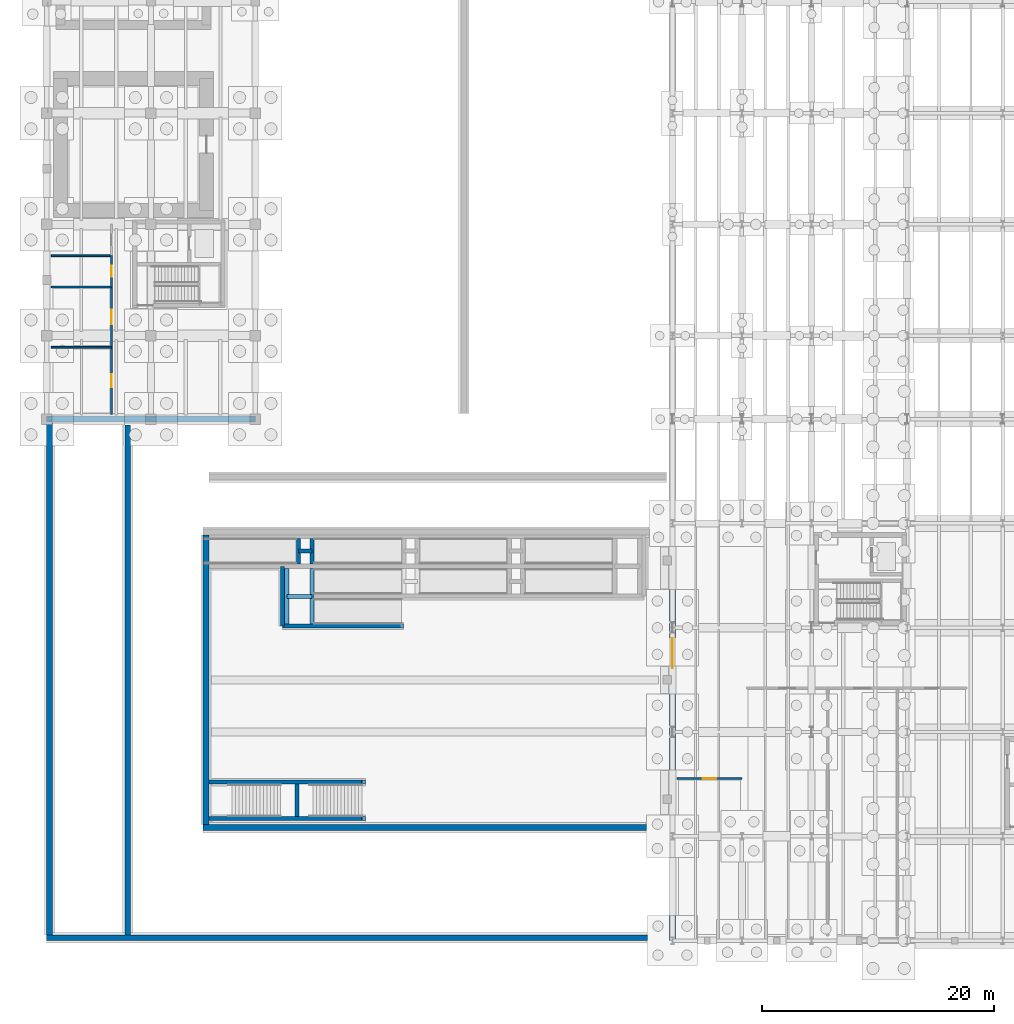
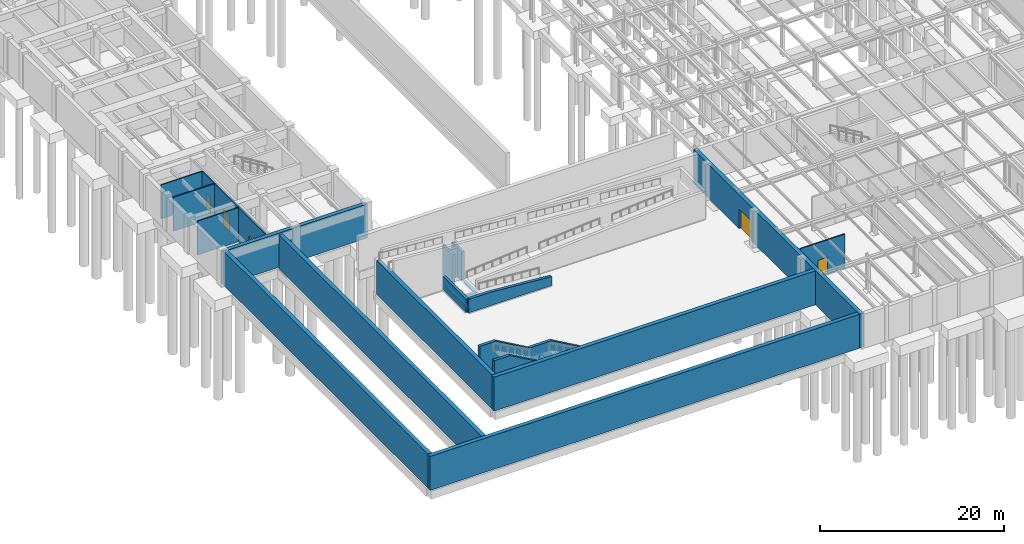
# One storey, part 41 of 59: 25 walls, 5 doors, 5 openings.
"""IFC4 building model written with IfcOpenShell, lengths in metres."""

import ifcopenshell
import ifcopenshell.guid

model = None  # the IFC model being written
_history = None  # IfcOwnerHistory: only IFC2X3 demands one
_inside = {}  # id of a spatial element -> (the spatial element, [elements in it])
_under = {}  # id of a project, library or spatial element -> (it, [spatial elements below it])
_declared = {}  # id of a project -> (the project, [libraries it declares])
_typed = {}  # id of a type object -> (the type object, [elements of that type])
_made_of = {}  # id of a material, layer set ... -> (it, [elements and type objects made of it])


def new_model(schema):
    """Start an empty IFC model of exactly this schema.

    Asked for "IFC4X3", IfcOpenShell would pick the latest addendum, in which some entities
    have other attributes; the version numbers below select the first issue.
    IFC2X3 requires an IfcOwnerHistory on every rooted entity: one is made here for all.
    """
    global model, _history
    if schema == "IFC4X3":
        model = ifcopenshell.file(schema_version=(4, 3, 0, 0))
    else:
        model = ifcopenshell.file(schema=schema)
    _inside.clear()
    _under.clear()
    _declared.clear()
    _typed.clear()
    _made_of.clear()
    _history = None
    if model.schema == "IFC2X3":
        org = make("IfcOrganization", Name="unknown")
        user = make(
            "IfcPersonAndOrganization",
            ThePerson=make("IfcPerson", FamilyName="unknown"),
            TheOrganization=org,
        )
        app = make(
            "IfcApplication",
            ApplicationDeveloper=org,
            Version="unknown",
            ApplicationFullName="unknown",
            ApplicationIdentifier="unknown",
        )
        _history = make(
            "IfcOwnerHistory",
            OwningUser=user,
            OwningApplication=app,
            ChangeAction="ADDED",
            CreationDate=0,
        )
    return model


def make(cls, **values):
    """One entity of the class cls with the attributes given. An attribute that is None is left unset."""
    return model.create_entity(
        cls, **{name: value for name, value in values.items() if value is not None}
    )


def rooted(cls, **values):
    """An entity with a GlobalId (a new one), such as an element, a storey or a relation."""
    return make(cls, GlobalId=ifcopenshell.guid.new(), OwnerHistory=_history, **values)


def si_unit(unit_type, name, prefix=None):
    """IfcSIUnit, for example si_unit("LENGTHUNIT", "METRE", prefix="MILLI")."""
    return make("IfcSIUnit", UnitType=unit_type, Prefix=prefix, Name=name)


def assignment(units):
    """IfcUnitAssignment: the units of a project."""
    return None if units is None else make("IfcUnitAssignment", Units=units)


def point(xyz):
    """IfcCartesianPoint."""
    return None if xyz is None else make("IfcCartesianPoint", Coordinates=xyz)


def direction(xyz):
    """IfcDirection."""
    return None if xyz is None else make("IfcDirection", DirectionRatios=xyz)


def frame(location, z_axis=None, x_axis=None):
    """IfcAxis2Placement3D, a coordinate frame: its origin and axes. An axis left out is left unset."""
    return make(
        "IfcAxis2Placement3D",
        Location=point(location),
        Axis=direction(z_axis),
        RefDirection=direction(x_axis),
    )


def frame_2d(location, x_axis=None):
    """IfcAxis2Placement2D, a coordinate frame in the plane: its origin and x axis."""
    return make(
        "IfcAxis2Placement2D", Location=point(location), RefDirection=direction(x_axis)
    )


def origin():
    """The frame at (0, 0, 0) with its axes left unset."""
    return frame((0.0, 0.0, 0.0))


def place(relative_to, where):
    """IfcLocalPlacement: puts the frame where relative to a parent placement (None: the world)."""
    return make(
        "IfcLocalPlacement", PlacementRelTo=relative_to, RelativePlacement=where
    )


def context(
    kind, dimensions, precision=None, world=None, true_north=None, identifier=None
):
    """IfcGeometricRepresentationContext, for example the 3D "Model" context."""
    return make(
        "IfcGeometricRepresentationContext",
        ContextIdentifier=identifier,
        ContextType=kind,
        CoordinateSpaceDimension=dimensions,
        Precision=precision,
        WorldCoordinateSystem=world,
        TrueNorth=true_north,
    )


def subcontext(parent, identifier, kind, view, scale=None):
    """IfcGeometricRepresentationSubContext, for example "Body" below "Model"."""
    return make(
        "IfcGeometricRepresentationSubContext",
        ContextIdentifier=identifier,
        ContextType=kind,
        ParentContext=parent,
        TargetScale=scale,
        TargetView=view,
    )


def project(units=None, contexts=None):
    """IfcProject with its units and contexts."""
    return rooted(
        "IfcProject",
        Name="project",
        RepresentationContexts=contexts,
        UnitsInContext=assignment(units),
    )


def spatial(cls, under=None, at=None, **own):
    """A site, building, storey or space (cls), placed at a placement, below another one or the project."""
    s = rooted(cls, ObjectPlacement=at, **own)
    if under is not None:
        _under.setdefault(under.id(), (under, []))[1].append(s)
    return s


def polyline(points):
    """IfcPolyline through the points."""
    return make("IfcPolyline", Points=[point(p) for p in points])


def profile(cls, at=None, kind="AREA", **sizes):
    """A parametric profile (cls). Its sizes go by their IFC names, for example OverallWidth=200.0."""
    return make(cls, ProfileType=kind, Position=at, **sizes)


def rectangle(**sizes):
    """IfcRectangleProfileDef."""
    return profile("IfcRectangleProfileDef", **sizes)


def outline(outer, holes=None, kind="AREA"):
    """IfcArbitraryClosedProfileDef: a profile drawn as a closed curve; with holes, ...WithVoids."""
    if holes is None:
        return make("IfcArbitraryClosedProfileDef", ProfileType=kind, OuterCurve=outer)
    return make(
        "IfcArbitraryProfileDefWithVoids",
        ProfileType=kind,
        OuterCurve=outer,
        InnerCurves=holes,
    )


def extrude(swept, where, along, depth):
    """IfcExtrudedAreaSolid: the profile swept, set in the frame where, extruded along a direction by depth."""
    return make(
        "IfcExtrudedAreaSolid",
        SweptArea=swept,
        Position=where,
        ExtrudedDirection=direction(along),
        Depth=depth,
    )


def shape(context_of_items, identifier, shape_type, items):
    """IfcShapeRepresentation: the items that make up one representation, for example the "Body"."""
    return make(
        "IfcShapeRepresentation",
        ContextOfItems=context_of_items,
        RepresentationIdentifier=identifier,
        RepresentationType=shape_type,
        Items=items,
    )


def material(Name=None, Category=None):
    """IfcMaterial."""
    return make("IfcMaterial", Name=Name, Category=Category)


def layer(
    of_material, thickness, ventilated=None, Name=None, Category=None, Priority=None
):
    """IfcMaterialLayer: one layer of a wall or slab, of a material (None: an air gap)."""
    return make(
        "IfcMaterialLayer",
        Material=of_material,
        LayerThickness=thickness,
        IsVentilated=ventilated,
        Name=Name,
        Category=Category,
        Priority=Priority,
    )


def layer_set(layers, Name=None):
    """IfcMaterialLayerSet."""
    return make("IfcMaterialLayerSet", MaterialLayers=layers, LayerSetName=Name)


def made_of(thing, what):
    """Note that an element or type object is made of a material, layer set ...; save() writes the relation."""
    if what is not None:
        _made_of.setdefault(what.id(), (what, []))[1].append(thing)
    return thing


def type_object(cls, material=None, **own):
    """A type object (cls), such as IfcWallType, which elements share."""
    return made_of(rooted(cls, **own), material)


def element(
    cls,
    number,
    at=None,
    inside=None,
    cuts=None,
    type_object=None,
    material=None,
    context=None,
    identifier="Body",
    shape_type=None,
    held_by="IfcProductDefinitionShape",
    body=None,
    shapes=None,
    **own,
):
    """One element of the class cls, such as IfcWall. Its Tag is "e" and its number.

    at: its placement. inside: the storey or other place that contains it. cuts: it is an
    opening in that element (IfcRelVoidsElement). A single representation is given by context,
    identifier, shape_type and body (its items); several are given by shapes. held_by: the class
    of the entity that holds the representations. save() writes the other relations.
    """
    e = rooted(cls, Tag="e%d" % number, ObjectPlacement=at, **own)
    if body is not None:
        shapes = [shape(context, identifier, shape_type, body)]
    if shapes is not None:
        e.Representation = make(held_by, Representations=shapes)
    if inside is not None:
        _inside.setdefault(inside.id(), (inside, []))[1].append(e)
    if cuts is not None:
        rooted(
            "IfcRelVoidsElement", RelatingBuildingElement=cuts, RelatedOpeningElement=e
        )
    if type_object is not None:
        _typed.setdefault(type_object.id(), (type_object, []))[1].append(e)
    return made_of(e, material)


def fill(opening, filler):
    """IfcRelFillsElement: the door or window that sits in an opening."""
    return rooted(
        "IfcRelFillsElement",
        RelatingOpeningElement=opening,
        RelatedBuildingElement=filler,
    )


def aggregate(whole, parts):
    """IfcRelAggregates: a whole, such as a stair, and the parts it consists of."""
    return rooted("IfcRelAggregates", RelatingObject=whole, RelatedObjects=parts)


def save(model, path):
    """Write the relations noted so far, then the file.

    IfcRelAggregates (storeys below a building ...), IfcRelContainedInSpatialStructure (elements
    in a storey), IfcRelDefinesByType, IfcRelAssociatesMaterial and IfcRelDeclares: one each for
    every whole, place, type object, material and project.
    """
    for whole, parts in _under.values():
        aggregate(whole, parts)
    for where, things in _inside.values():
        rooted(
            "IfcRelContainedInSpatialStructure",
            RelatedElements=things,
            RelatingStructure=where,
        )
    for kind, things in _typed.values():
        rooted("IfcRelDefinesByType", RelatedObjects=things, RelatingType=kind)
    for what, things in _made_of.values():
        rooted("IfcRelAssociatesMaterial", RelatedObjects=things, RelatingMaterial=what)
    for by, libraries in _declared.values():
        rooted("IfcRelDeclares", RelatingContext=by, RelatedDefinitions=libraries)
    model.write(path)


model = new_model("IFC4")

# Units and contexts
model_context = context("Model", 3, precision=1e-05, world=origin(), true_north=direction((0.0, 1.0)))
body_context = subcontext(model_context, "Body", "Model", "MODEL_VIEW")
ifc_project = project(units=[si_unit("LENGTHUNIT", "METRE"), si_unit("AREAUNIT", "SQUARE_METRE"), si_unit("VOLUMEUNIT", "CUBIC_METRE"), si_unit("PLANEANGLEUNIT", "RADIAN"), si_unit("MASSUNIT", "GRAM", prefix="KILO")], contexts=[model_context])

# Site, building, storey
site_placement = place(None, origin())
site = spatial("IfcSite", under=ifc_project, at=site_placement, CompositionType="ELEMENT")
building_placement = place(site_placement, origin())
building = spatial("IfcBuilding", under=site, at=building_placement, Name="Montealbar Specialist Clinic", CompositionType="ELEMENT")
storey_placement = place(building_placement, frame((0.0, 0.0, -4.800048828125)))
storey = spatial("IfcBuildingStorey", under=building, at=storey_placement, Name="B01", CompositionType="ELEMENT", Elevation=-4.800048828125)

# Walls
ifc_material_1 = material(Name="Guadarrama granite ashlar", Category="masonry")
ifc_layer_1 = layer(ifc_material_1, 0.35009765625, Name="Guadarrama granite ashlar", Category="masonry")
ifc_layer_set_1 = layer_set([ifc_layer_1], Name="Guadarrama granite ashlar")
wall_type_1 = type_object("IfcWallType", Name="WL-CHEEK-350", PredefinedType="SOLIDWALL", material=ifc_layer_set_1)
for number, where, z_axis, x_axis, name in (
    (1, (14.0, 10.52490234375, 0.0), (0.0, 0.0, 1.0), (1.0, 0.0, 0.0), "Grand Stair Granite Balustrade Cheek Wall S"),
    (2, (14.0, 13.675048828125, 0.0), (0.0, 0.0, 1.0), (1.0, 0.0, 0.0), "Grand Stair Granite Balustrade Cheek Wall N"),
):
    element("IfcWall", number, at=place(storey_placement, frame(where, z_axis=z_axis, x_axis=x_axis)), inside=storey, type_object=wall_type_1, Name=name, PredefinedType="SOLIDWALL", context=body_context, shape_type="SweptSolid", body=[
        extrude(outline(polyline([(0.0, 0.0), (13.5, 0.0), (13.5, 1.179931640625), (13.199951171875, 1.179931640625), (9.0, 3.580078125), (6.199951171875, 3.580078125), (2.0, 5.97998046875), (0.0, 5.97998046875), (0.0, 0.0)])), frame((0.0, 0.175048828125, 0.0), z_axis=(0.0, -1.0, 0.0), x_axis=(1.0, 0.0, 0.0)), (0.0, 0.0, 1.0), 0.35009765625),
    ])
wall_1_placement = place(storey_placement, frame((21.60009765625, 10.699951171875, 0.0), z_axis=(0.0, 0.0, 1.0), x_axis=(0.0, 1.0, 0.0)))
element("IfcWall", 3, at=wall_1_placement, inside=storey, type_object=wall_type_1, Name="Grand Stair Mid-Landing Pier Wall", PredefinedType="SOLIDWALL", context=body_context, shape_type="SweptSolid", body=[
    extrude(rectangle(XDim=2.800048828125, YDim=0.35009765625, at=frame_2d((1.39990234375, 0.0))), origin(), (0.0, 0.0, 1.0), 2.16015625),
])
for number, where, z_axis, x_axis, name in (
    (4, (21.719970703125, 32.5, 0.0), (0.0, 0.0, 1.0), (0.0, 1.0, 0.0), "Terrace Ramp Pier Wall PR-01 W"),
    (5, (22.8798828125, 32.5, 0.0), (0.0, 0.0, 1.0), (0.0, 1.0, 0.0), "Terrace Ramp Pier Wall PR-01 E"),
):
    element("IfcWall", number, at=place(storey_placement, frame(where, z_axis=z_axis, x_axis=x_axis)), inside=storey, type_object=wall_type_1, Name=name, PredefinedType="SOLIDWALL", context=body_context, shape_type="SweptSolid", body=[
        extrude(rectangle(XDim=2.199951171875, YDim=0.35009765625, at=frame_2d((1.10009765625, 0.0))), origin(), (0.0, 0.0, 1.0), 3.900146484375),
    ])
wall_2_placement = place(storey_placement, frame((21.719970703125, 33.60009765625, 0.0), z_axis=(0.0, 0.0, 1.0), x_axis=(1.0, 0.0, 0.0)))
element("IfcWall", 6, at=wall_2_placement, inside=storey, type_object=wall_type_1, Name="Terrace Ramp Pier Wall PR-01 M", PredefinedType="SOLIDWALL", context=body_context, shape_type="SweptSolid", body=[
    extrude(rectangle(XDim=1.159912109375, YDim=0.35009765625, at=frame_2d((0.580078125, 0.0))), origin(), (0.0, 0.0, 1.0), 3.900146484375),
])
for number, where, z_axis, x_axis, name in (
    (7, (20.719970703125, 27.300048828125, 0.0), (0.0, 0.0, 1.0), (0.0, 1.0, 0.0), "Terrace Ramp Pier Wall PR-07 W"),
    (8, (22.8798828125, 27.300048828125, 0.0), (0.0, 0.0, 1.0), (0.0, 1.0, 0.0), "Terrace Ramp Pier Wall PR-07 E"),
):
    element("IfcWall", number, at=place(storey_placement, frame(where, z_axis=z_axis, x_axis=x_axis)), inside=storey, type_object=wall_type_1, Name=name, PredefinedType="SOLIDWALL", context=body_context, shape_type="SweptSolid", body=[
        extrude(rectangle(XDim=4.800048828125, YDim=0.35009765625, at=frame_2d((2.39990234375, 0.0))), origin(), (0.0, 0.0, 1.0), 0.300048828125),
    ])
wall_3_placement = place(storey_placement, frame((20.719970703125, 29.699951171875, 0.0), z_axis=(0.0, 0.0, 1.0), x_axis=(1.0, 0.0, 0.0)))
element("IfcWall", 9, at=wall_3_placement, inside=storey, type_object=wall_type_1, Name="Terrace Ramp Pier Wall PR-07 M", PredefinedType="SOLIDWALL", context=body_context, shape_type="SweptSolid", body=[
    extrude(rectangle(XDim=2.159912109375, YDim=0.35009765625, at=frame_2d((1.080078125, 0.0))), origin(), (0.0, 0.0, 1.0), 0.300048828125),
])
wall_4_placement = place(storey_placement, frame((20.35009765625, 27.14990234375, 0.0), z_axis=(0.0, 0.0, 1.0), x_axis=(0.0, 1.0, 0.0)))
element("IfcWall", 10, at=wall_4_placement, inside=storey, type_object=wall_type_1, Name="Forecourt Ramp Granite Balustrade Wall RAMP-W-TURN", PredefinedType="SOLIDWALL", context=body_context, shape_type="SweptSolid", body=[
    extrude(outline(polyline([(0.0, 0.0), (5.150146484375, 0.0), (5.14990234375, 1.780029296875), (0.0, 1.780029296875), (0.0, 0.0)])), frame((0.0, 0.175048828125, 0.0), z_axis=(0.0, -1.0, 0.0), x_axis=(1.0, 0.0, 0.0)), (0.0, 0.0, 1.0), 0.35009765625),
])
wall_5_placement = place(storey_placement, frame((20.35009765625, 27.14990234375, 0.0), z_axis=(0.0, 0.0, 1.0), x_axis=(1.0, 0.0, 0.0)))
element("IfcWall", 11, at=wall_5_placement, inside=storey, type_object=wall_type_1, Name="Forecourt Ramp Granite Balustrade Wall RAMP-S-OUTER", PredefinedType="SOLIDWALL", context=body_context, shape_type="SweptSolid", body=[
    extrude(outline(polyline([(0.0, 0.0), (10.449951171875, 0.0), (10.449951171875, 1.179931640625), (2.75, 1.780029296875), (0.0, 1.780029296875), (0.0, 0.0)])), frame((0.0, 0.175048828125, 0.0), z_axis=(0.0, -1.0, 0.0), x_axis=(1.0, 0.0, 0.0)), (0.0, 0.0, 1.0), 0.35009765625),
])
ifc_material_2 = material(Name="Gypsum acoustic partition", Category="gypsum")
ifc_layer_2 = layer(ifc_material_2, 0.139892578125, Name="Gypsum acoustic partition", Category="gypsum")
ifc_layer_set_2 = layer_set([ifc_layer_2], Name="Gypsum acoustic partition")
wall_type_2 = type_object("IfcWallType", Name="WL-PART-ACOUSTIC-140", PredefinedType="PARTITIONING", material=ifc_layer_set_2)
for number, where, z_axis, x_axis, name in (
    (12, (0.39990234375, 51.199951171875, 0.0), (0.0, 0.0, 1.0), (1.0, 0.0, 0.0), "Clinical Partition PART-B01-0002"),
    (13, (0.39990234375, 56.39990234375, 0.0), (0.0, 0.0, 1.0), (1.0, 0.0, 0.0), "Clinical Partition PART-B01-0004"),
    (14, (0.39990234375, 59.10009765625, 0.0), (0.0, 0.0, 1.0), (1.0, 0.0, 0.0), "Clinical Partition PART-B01-0006"),
):
    element("IfcWall", number, at=place(storey_placement, frame(where, z_axis=z_axis, x_axis=x_axis)), inside=storey, type_object=wall_type_2, Name=name, PredefinedType="PARTITIONING", context=body_context, shape_type="SweptSolid", body=[
        extrude(rectangle(XDim=5.2001953125, YDim=0.139892578125, at=frame_2d((2.60009765625, 0.0))), origin(), (0.0, 0.0, 1.0), 4.5),
    ])

# Wall, opening, door
ifc_layer_3 = layer(ifc_material_2, 0.159912109375, Name="Gypsum acoustic partition", Category="gypsum")
ifc_layer_set_3 = layer_set([ifc_layer_3], Name="Gypsum acoustic partition")
wall_type_3 = type_object("IfcWallType", Name="WL-PART-CLINIC-160", PredefinedType="PARTITIONING", material=ifc_layer_set_3)
wall_6_placement = place(storey_placement, frame((5.60009765625, 45.39990234375, 0.0), z_axis=(0.0, 0.0, 1.0), x_axis=(0.0, 1.0, 0.0)))
wall_6 = element("IfcWall", 15, at=wall_6_placement, inside=storey, type_object=wall_type_3, Name="Clinical Partition PART-B01-0001", PredefinedType="PARTITIONING", context=body_context, shape_type="SweptSolid", body=[
    extrude(rectangle(XDim=5.800048828125, YDim=0.159912109375, at=frame_2d((2.89990234375, 0.0))), origin(), (0.0, 0.0, 1.0), 4.5),
])
opening_1_placement = place(wall_6_placement, frame((2.35009765625, 0.0, 0.0)))
opening_1 = element("IfcOpeningElement", 16, at=opening_1_placement, cuts=wall_6, Name="Opening ID-110", PredefinedType="OPENING", context=body_context, shape_type="SweptSolid", body=[
    extrude(rectangle(XDim=1.10009765625, YDim=2.14990234375, at=frame_2d((0.550048828125, 1.074951171875))), frame((0.0, 0.08984375, 0.0), z_axis=(0.0, -1.0, 0.0), x_axis=(1.0, 0.0, 0.0)), (0.0, 0.0, 1.0), 0.179931640625),
])
ifc_material_3 = material(Name="Acoustic timber leaf", Category="wood")
door_type_1 = type_object("IfcDoorType", Name="DR-CLIN-W1100", OperationType="NOTDEFINED", PredefinedType="DOOR", material=ifc_material_3)
door_1_placement = place(opening_1_placement, frame((1.10009765625, 0.0, 0.0), z_axis=(0.0, 0.0, 1.0), x_axis=(-1.0, 0.0, 0.0)))
door_1 = element("IfcDoor", 17, at=door_1_placement, inside=storey, type_object=door_type_1, Name="Clinical Room Door IDR-B01-0001", OperationType="SINGLE_SWING_LEFT", OverallHeight=2.14990234375, OverallWidth=1.10009765625, PredefinedType="DOOR", context=body_context, shape_type="SweptSolid", body=[
    extrude(rectangle(XDim=1.10009765625, YDim=2.14990234375, at=frame_2d((0.550048828125, 1.074951171875))), frame((0.0, 0.02490234375, 0.0), z_axis=(0.0, -1.0, 0.0), x_axis=(1.0, 0.0, 0.0)), (0.0, 0.0, 1.0), 0.050048828125),
])
fill(opening_1, door_1)

wall_7_placement = place(storey_placement, frame((5.60009765625, 51.199951171875, 0.0), z_axis=(0.0, 0.0, 1.0), x_axis=(0.0, 1.0, 0.0)))
wall_7 = element("IfcWall", 18, at=wall_7_placement, inside=storey, type_object=wall_type_3, Name="Clinical Partition PART-B01-0003", PredefinedType="PARTITIONING", context=body_context, shape_type="SweptSolid", body=[
    extrude(rectangle(XDim=5.199951171875, YDim=0.159912109375, at=frame_2d((2.60009765625, 0.0))), origin(), (0.0, 0.0, 1.0), 4.5),
])
opening_2_placement = place(wall_7_placement, frame((2.0, 0.0, 0.0)))
opening_2 = element("IfcOpeningElement", 19, at=opening_2_placement, cuts=wall_7, Name="Opening ID-12L", PredefinedType="OPENING", context=body_context, shape_type="SweptSolid", body=[
    extrude(rectangle(XDim=1.25, YDim=2.199951171875, at=frame_2d((0.625, 1.10009765625))), frame((0.0, 0.08984375, 0.0), z_axis=(0.0, -1.0, 0.0), x_axis=(1.0, 0.0, 0.0)), (0.0, 0.0, 1.0), 0.179931640625),
])
door_type_2 = type_object("IfcDoorType", Name="DR-LEAD-W1200", OperationType="NOTDEFINED", PredefinedType="DOOR", material=ifc_material_3)
door_2_placement = place(opening_2_placement, frame((1.25, 0.0, 0.0), z_axis=(0.0, 0.0, 1.0), x_axis=(-1.0, 0.0, 0.0)))
door_2 = element("IfcDoor", 20, at=door_2_placement, inside=storey, type_object=door_type_2, Name="Clinical Room Door IDR-B01-0002", OperationType="SINGLE_SWING_RIGHT", OverallHeight=2.199951171875, OverallWidth=1.25, PredefinedType="DOOR", context=body_context, shape_type="SweptSolid", body=[
    extrude(rectangle(XDim=1.25, YDim=2.199951171875, at=frame_2d((0.625, 1.10009765625))), frame((0.0, 0.02490234375, 0.0), z_axis=(0.0, -1.0, 0.0), x_axis=(1.0, 0.0, 0.0)), (0.0, 0.0, 1.0), 0.050048828125),
])
fill(opening_2, door_2)

wall_8_placement = place(storey_placement, frame((5.60009765625, 56.39990234375, 0.0), z_axis=(0.0, 0.0, 1.0), x_axis=(0.0, 1.0, 0.0)))
wall_8 = element("IfcWall", 21, at=wall_8_placement, inside=storey, type_object=wall_type_3, Name="Clinical Partition PART-B01-0005", PredefinedType="PARTITIONING", context=body_context, shape_type="SweptSolid", body=[
    extrude(rectangle(XDim=2.7001953125, YDim=0.159912109375, at=frame_2d((1.35009765625, 0.0))), origin(), (0.0, 0.0, 1.0), 4.5),
])
opening_3_placement = place(wall_8_placement, frame((0.875, 0.0, 0.0)))
opening_3 = element("IfcOpeningElement", 22, at=opening_3_placement, cuts=wall_8, Name="Opening ID-095", PredefinedType="OPENING", context=body_context, shape_type="SweptSolid", body=[
    extrude(rectangle(XDim=0.949951171875, YDim=2.10009765625, at=frame_2d((0.47509765625, 1.050048828125))), frame((0.0, 0.08984375, 0.0), z_axis=(0.0, -1.0, 0.0), x_axis=(1.0, 0.0, 0.0)), (0.0, 0.0, 1.0), 0.179931640625),
])
door_type_3 = type_object("IfcDoorType", Name="DR-WC-W0950", OperationType="NOTDEFINED", PredefinedType="DOOR", material=ifc_material_3)
door_3_placement = place(opening_3_placement, frame((0.949951171875, 0.0, 0.0), z_axis=(0.0, 0.0, 1.0), x_axis=(-1.0, 0.0, 0.0)))
door_3 = element("IfcDoor", 23, at=door_3_placement, inside=storey, type_object=door_type_3, Name="Clinical Room Door IDR-B01-0003", OperationType="SINGLE_SWING_LEFT", OverallHeight=2.10009765625, OverallWidth=0.949951171875, PredefinedType="DOOR", context=body_context, shape_type="SweptSolid", body=[
    extrude(rectangle(XDim=0.949951171875, YDim=2.10009765625, at=frame_2d((0.47509765625, 1.050048828125))), frame((0.0, 0.02490234375, 0.0), z_axis=(0.0, -1.0, 0.0), x_axis=(1.0, 0.0, 0.0)), (0.0, 0.0, 1.0), 0.050048828125),
])
fill(opening_3, door_3)

wall_9_placement = place(storey_placement, frame((54.39990234375, 14.0, 0.0), z_axis=(0.0, 0.0, 1.0), x_axis=(1.0, 0.0, 0.0)))
wall_9 = element("IfcWall", 24, at=wall_9_placement, inside=storey, type_object=wall_type_3, Name="Clinical Partition PART-B01-0008", PredefinedType="PARTITIONING", context=body_context, shape_type="SweptSolid", body=[
    extrude(rectangle(XDim=5.60009765625, YDim=0.159912109375, at=frame_2d((2.800048828125, 0.0))), origin(), (0.0, 0.0, 1.0), 4.5),
])
opening_4_placement = place(wall_9_placement, frame((2.199951171875, 0.0, 0.0)))
opening_4 = element("IfcOpeningElement", 25, at=opening_4_placement, cuts=wall_9, Name="Opening ID-120", PredefinedType="OPENING", context=body_context, shape_type="SweptSolid", body=[
    extrude(rectangle(XDim=1.199951171875, YDim=2.199951171875, at=frame_2d((0.60009765625, 1.10009765625))), frame((0.0, 0.08984375, 0.0), z_axis=(0.0, -1.0, 0.0), x_axis=(1.0, 0.0, 0.0)), (0.0, 0.0, 1.0), 0.179931640625),
])
door_type_4 = type_object("IfcDoorType", Name="DR-CLIN-W1200", OperationType="NOTDEFINED", PredefinedType="DOOR", material=ifc_material_3)
door_4_placement = place(opening_4_placement, origin())
door_4 = element("IfcDoor", 26, at=door_4_placement, inside=storey, type_object=door_type_4, Name="Clinical Room Door IDR-B01-0005", OperationType="SINGLE_SWING_LEFT", OverallHeight=2.199951171875, OverallWidth=1.199951171875, PredefinedType="DOOR", context=body_context, shape_type="SweptSolid", body=[
    extrude(rectangle(XDim=1.199951171875, YDim=2.199951171875, at=frame_2d((0.60009765625, 1.10009765625))), frame((0.0, 0.02490234375, 0.0), z_axis=(0.0, -1.0, 0.0), x_axis=(1.0, 0.0, 0.0)), (0.0, 0.0, 1.0), 0.050048828125),
])
fill(opening_4, door_4)

ifc_material_4 = material(Name="Concrete C35/45", Category="concrete")
ifc_layer_4 = layer(ifc_material_4, 0.5, Name="Concrete C35/45", Category="concrete")
ifc_layer_set_4 = layer_set([ifc_layer_4], Name="Concrete C35/45")
wall_type_4 = type_object("IfcWallType", Name="WL-RET-500", PredefinedType="SOLIDWALL", material=ifc_layer_set_4)
wall_10_placement = place(storey_placement, frame((54.0, 0.0, 0.0), z_axis=(0.0, 0.0, 1.0), x_axis=(0.0, 1.0, 0.0)))
wall_10 = element("IfcWall", 27, at=wall_10_placement, inside=storey, type_object=wall_type_4, Name="Basement Retaining Wall B01-01", PredefinedType="SOLIDWALL", context=body_context, shape_type="SweptSolid", body=[
    extrude(rectangle(XDim=36.0, YDim=0.5, at=frame_2d((18.0, 0.0))), origin(), (0.0, 0.0, 1.0), 4.5),
])
opening_5_placement = place(wall_10_placement, frame((23.5, 0.0, 0.0)))
opening_5 = element("IfcOpeningElement", 28, at=opening_5_placement, cuts=wall_10, Name="Opening ED-26", PredefinedType="OPENING", context=body_context, shape_type="SweptSolid", body=[
    extrude(rectangle(XDim=2.60009765625, YDim=2.60009765625, at=frame_2d((1.300048828125, 1.300048828125))), frame((0.0, 0.260009765625, 0.0), z_axis=(0.0, -1.0, 0.0), x_axis=(1.0, 0.0, 0.0)), (0.0, 0.0, 1.0), 0.52001953125),
])
ifc_material_5 = material(Name="Powder-coated aluminium", Category="aluminium")
door_type_5 = type_object("IfcDoorType", Name="DR-PLAZA-W2600", OperationType="DOUBLE_DOOR_SINGLE_SWING", PredefinedType="DOOR", material=ifc_material_5)
door_5_placement = place(opening_5_placement, origin())
door_5 = element("IfcDoor", 29, at=door_5_placement, inside=storey, type_object=door_type_5, Name="Sunken Metro Concourse North Entrance Portal", OperationType="DOUBLE_DOOR_SINGLE_SWING", OverallHeight=2.60009765625, OverallWidth=2.60009765625, PredefinedType="DOOR", context=body_context, shape_type="SweptSolid", body=[
    extrude(rectangle(XDim=2.60009765625, YDim=2.60009765625, at=frame_2d((1.300048828125, 1.300048828125))), frame((0.0, 0.02490234375, 0.0), z_axis=(0.0, -1.0, 0.0), x_axis=(1.0, 0.0, 0.0)), (0.0, 0.0, 1.0), 0.050048828125),
])
fill(opening_5, door_5)

# Walls
wall_11_placement = place(storey_placement, frame((18.0, 45.0, 0.0), z_axis=(0.0, 0.0, 1.0), x_axis=(-1.0, 0.0, 0.0)))
element("IfcWall", 30, at=wall_11_placement, inside=storey, type_object=wall_type_4, Name="Basement Retaining Wall B01-17", PredefinedType="SOLIDWALL", context=body_context, shape_type="SweptSolid", body=[
    extrude(rectangle(XDim=18.0, YDim=0.5, at=frame_2d((9.0, 0.0))), origin(), (0.0, 0.0, 1.0), 4.5),
])
wall_12_placement = place(storey_placement, frame((0.0, 0.25, 0.0), z_axis=(0.0, 0.0, 1.0), x_axis=(1.0, 0.0, 0.0)))
element("IfcWall", 31, at=wall_12_placement, inside=storey, type_object=wall_type_4, Name="Perimeter Plinth Retaining Wall SW-S", PredefinedType="SOLIDWALL", context=body_context, shape_type="SweptSolid", body=[
    extrude(rectangle(XDim=53.75, YDim=0.5, at=frame_2d((26.875, 0.0))), origin(), (0.0, 0.0, 1.0), 4.5),
])
wall_13_placement = place(storey_placement, frame((0.25, 0.5, 0.0), z_axis=(0.0, 0.0, 1.0), x_axis=(0.0, 1.0, 0.0)))
element("IfcWall", 32, at=wall_13_placement, inside=storey, type_object=wall_type_4, Name="Perimeter Plinth Retaining Wall SW-W", PredefinedType="SOLIDWALL", context=body_context, shape_type="SweptSolid", body=[
    extrude(rectangle(XDim=44.25, YDim=0.5, at=frame_2d((22.125, 0.0))), origin(), (0.0, 0.0, 1.0), 4.5),
])
wall_14_placement = place(storey_placement, frame((13.5, 9.75, 0.0), z_axis=(0.0, 0.0, 1.0), x_axis=(1.0, 0.0, 0.0)))
element("IfcWall", 33, at=wall_14_placement, inside=storey, type_object=wall_type_4, Name="Perimeter Plinth Retaining Wall FC-S", PredefinedType="SOLIDWALL", context=body_context, shape_type="SweptSolid", body=[
    extrude(rectangle(XDim=40.25, YDim=0.5, at=frame_2d((20.125, 0.0))), origin(), (0.0, 0.0, 1.0), 4.5),
])
wall_15_placement = place(storey_placement, frame((13.75, 10.0, 0.0), z_axis=(0.0, 0.0, 1.0), x_axis=(0.0, 1.0, 0.0)))
element("IfcWall", 34, at=wall_15_placement, inside=storey, type_object=wall_type_4, Name="Perimeter Plinth Retaining Wall FC-W", PredefinedType="SOLIDWALL", context=body_context, shape_type="SweptSolid", body=[
    extrude(rectangle(XDim=25.0, YDim=0.5, at=frame_2d((12.5, 0.0))), origin(), (0.0, 0.0, 1.0), 4.5),
])
wall_16_placement = place(storey_placement, frame((7.0, 0.5, 0.0), z_axis=(0.0, 0.0, 1.0), x_axis=(0.0, 1.0, 0.0)))
element("IfcWall", 35, at=wall_16_placement, inside=storey, type_object=wall_type_4, Name="Perimeter Plinth Retaining Wall SUP-SW1", PredefinedType="SOLIDWALL", context=body_context, shape_type="SweptSolid", body=[
    extrude(rectangle(XDim=44.0, YDim=0.5, at=frame_2d((22.0, 0.0))), origin(), (0.0, 0.0, 1.0), 4.5),
])

save(model, "model.ifc")
